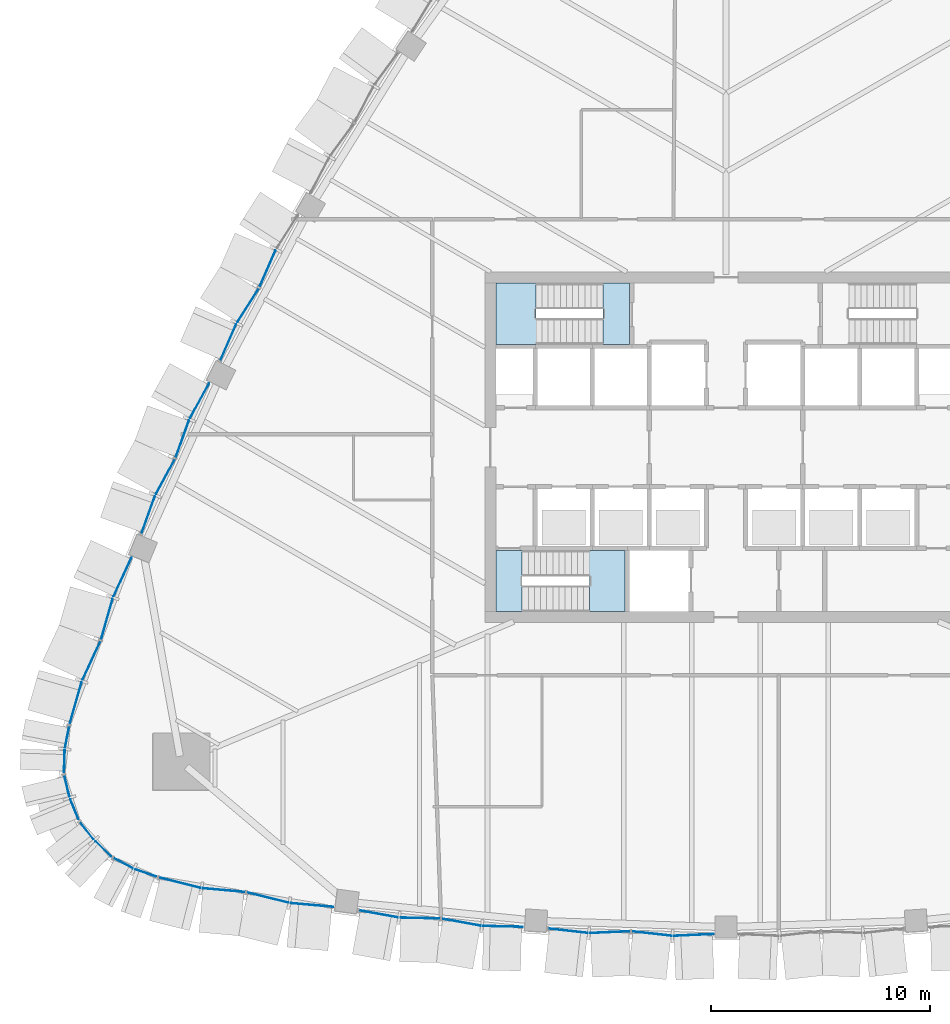
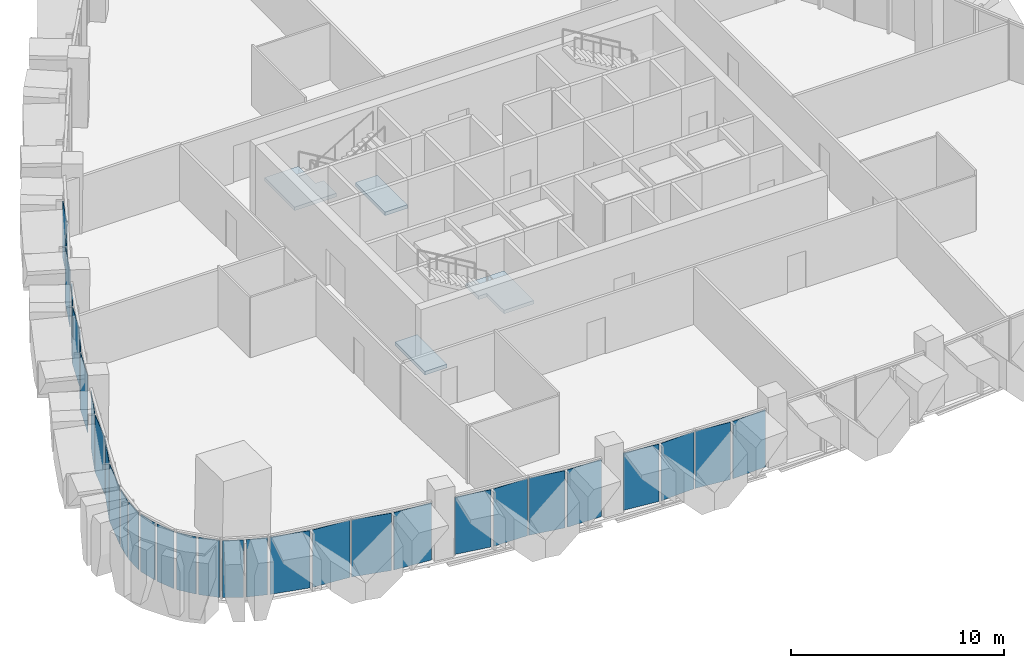
# One storey, part 8 of 18: 31 plates, 4 slabs, 12 elements without a shape of their own.
"""IFC4 building model written with IfcOpenShell, lengths in metres."""

from ifc_helpers import new_model, si_unit, direction, frame, origin, place, context, subcontext, project, spatial, polyline, outline, extrude, material, layer, layer_set, type_object, element, aggregate, save


model = new_model("IFC4")

# Units and contexts
model_context = context("Model", 3, precision=1e-05, world=origin(), true_north=direction((0.0, 1.0)))
body_context = subcontext(model_context, "Body", "Model", "MODEL_VIEW")
ifc_project = project(units=[si_unit("LENGTHUNIT", "METRE"), si_unit("AREAUNIT", "SQUARE_METRE"), si_unit("VOLUMEUNIT", "CUBIC_METRE"), si_unit("PLANEANGLEUNIT", "RADIAN"), si_unit("MASSUNIT", "GRAM", prefix="KILO")], contexts=[model_context])

# Site, building, storey
site_placement = place(None, origin())
site = spatial("IfcSite", under=ifc_project, at=site_placement, CompositionType="ELEMENT")
building_placement = place(site_placement, origin())
building = spatial("IfcBuilding", under=site, at=building_placement, Name="Sierra Prisma Convention Tower", CompositionType="ELEMENT")
storey_placement = place(building_placement, frame((0.0, 0.0, 133.800048828125)))
storey = spatial("IfcBuildingStorey", under=building, at=storey_placement, Name="L28", CompositionType="ELEMENT", Elevation=133.800048828125)

# Curtain wall, plates
ifc_material_1 = material(Name="Aluminium and glass curtain wall", Category="aluminium")
ifc_layer_1 = layer(ifc_material_1, 0.179931640625)
ifc_layer_set_1 = layer_set([ifc_layer_1], Name="CW-2 Faceted crystal curtain wall")
curtain_wall_type = type_object("IfcCurtainWallType", Name="CW-2 Faceted crystal curtain wall", PredefinedType="NOTDEFINED", material=ifc_layer_set_1)
curtain_wall_1_placement = place(storey_placement, origin())
curtain_wall_1 = element("IfcCurtainWall", 1, at=curtain_wall_1_placement, inside=storey, type_object=curtain_wall_type, Name="CW-2 S1 L28", PredefinedType="NOTDEFINED")
ifc_material_2 = material(Name="Tinted glass bronze-grey IGU", Category="glass")
ifc_layer_2 = layer(ifc_material_2, 0.028076171875)
ifc_layer_set_2 = layer_set([ifc_layer_2], Name="CW-2 crystal pane")
plate_type = type_object("IfcPlateType", Name="CW-2 crystal pane", PredefinedType="CURTAIN_PANEL", material=ifc_layer_set_2)
plate_1_placement = place(storey_placement, frame((-25.875, -19.64111328125, 0.0), z_axis=(-0.2435126618, -0.969897718083, 0.0), x_axis=(0.969897718083, -0.2435126618, 0.0)))
plate_1 = element("IfcPlate", 2, at=plate_1_placement, type_object=plate_type, Name="CW-2 pane S1.1.1", PredefinedType="CURTAIN_PANEL", context=body_context, shape_type="SweptSolid", body=[
    extrude(outline(polyline([(0.0, 0.0), (1.9399899203736675, 0.0), (1.9399899203736675, 3.280029296875001), (0.0, 3.280029296875001), (0.0, 0.0)])), origin(), (0.0, 0.0, -1.0), 0.028076171875),
])
plate_2_placement = place(storey_placement, frame((-21.933349609375, -20.30712890625, 0.0), z_axis=(-0.088720138755, -0.996056593261, 0.0), x_axis=(-0.996056593261, 0.088720138755, 0.0)))
plate_2 = element("IfcPlate", 3, at=plate_2_placement, type_object=plate_type, Name="CW-2 pane S1.1.2", PredefinedType="CURTAIN_PANEL", context=body_context, shape_type="SweptSolid", body=[
    extrude(outline(polyline([(0.0, 0.0), (1.9400233480188993, 0.0), (1.9400233480188993, -3.280029296875), (0.0, -3.280029296875), (0.0, 0.0)])), origin(), (0.0, 0.0, -1.0), 0.028076171875),
])
plate_3_placement = place(storey_placement, frame((-21.8642578125, -20.31884765625, 0.0), z_axis=(-0.243542388, -0.969890254228, 0.0), x_axis=(0.969890254228, -0.243542388, 0.0)))
plate_3 = element("IfcPlate", 4, at=plate_3_placement, type_object=plate_type, Name="CW-2 pane S1.2.1", PredefinedType="CURTAIN_PANEL", context=body_context, shape_type="SweptSolid", body=[
    extrude(outline(polyline([(0.0, 0.0), (1.939753129849648, 0.0), (1.939753129849648, 3.280029296875), (0.0, 3.280029296875), (0.0, 0.0)])), origin(), (0.0, 0.0, -1.0), 0.028076171875),
])
plate_4_placement = place(storey_placement, frame((-17.9228515625, -20.985107421875, 0.0), z_axis=(-0.088856127955, -0.996044471158, 0.0), x_axis=(-0.996044471158, 0.088856127955, 0.0)))
plate_4 = element("IfcPlate", 5, at=plate_4_placement, type_object=plate_type, Name="CW-2 pane S1.2.2", PredefinedType="CURTAIN_PANEL", context=body_context, shape_type="SweptSolid", body=[
    extrude(outline(polyline([(0.0, 0.0), (1.939801848408772, 0.0), (1.939801848408772, -3.280029296875), (0.0, -3.280029296875), (0.0, 0.0)])), origin(), (0.0, 0.0, -1.0), 0.028076171875),
])
aggregate(curtain_wall_1, [plate_1, plate_2, plate_3, plate_4])

curtain_wall_2_placement = place(storey_placement, origin())
curtain_wall_2 = element("IfcCurtainWall", 6, at=curtain_wall_2_placement, inside=storey, type_object=curtain_wall_type, Name="CW-2 S2 L28", PredefinedType="NOTDEFINED")
plate_5_placement = place(storey_placement, frame((-16.7490234375, -21.1416015625, 0.0), z_axis=(-0.178039447768, -0.98402335086, 0.0), x_axis=(0.98402335086, -0.178039447768, 0.0)))
plate_5 = element("IfcPlate", 7, at=plate_5_placement, type_object=plate_type, Name="CW-2 pane S2.1.1", PredefinedType="CURTAIN_PANEL", context=body_context, shape_type="SweptSolid", body=[
    extrude(outline(polyline([(0.0, 0.0), (1.803223532194353, 0.0), (1.803223532194353, 3.280029296875), (0.0, 3.280029296875), (0.0, 0.0)])), origin(), (0.0, 0.0, -1.0), 0.028076171875),
])
plate_6_placement = place(storey_placement, frame((-13.04296875, -21.51513671875, 0.0), z_axis=(-0.021934050109, -0.999759419783, 0.0), x_axis=(-0.999759419783, 0.021934050109, 0.0)))
plate_6 = element("IfcPlate", 8, at=plate_6_placement, type_object=plate_type, Name="CW-2 pane S2.1.2", PredefinedType="CURTAIN_PANEL", context=body_context, shape_type="SweptSolid", body=[
    extrude(outline(polyline([(0.0, 0.0), (1.803168181591536, 0.0), (1.803168181591536, -3.280029296875), (0.0, -3.280029296875), (0.0, 0.0)])), origin(), (0.0, 0.0, -1.0), 0.028076171875),
])
plate_7_placement = place(storey_placement, frame((-12.97314453125, -21.522216796875, 0.0), z_axis=(-0.178039447768, -0.98402335086, 0.0), x_axis=(0.98402335086, -0.178039447768, 0.0)))
plate_7 = element("IfcPlate", 9, at=plate_7_placement, type_object=plate_type, Name="CW-2 pane S2.2.1", PredefinedType="CURTAIN_PANEL", context=body_context, shape_type="SweptSolid", body=[
    extrude(outline(polyline([(0.0, 0.0), (1.803223532194353, 0.0), (1.803223532194353, 3.280029296875), (0.0, 3.280029296875), (0.0, 0.0)])), origin(), (0.0, 0.0, -1.0), 0.028076171875),
])
plate_8_placement = place(storey_placement, frame((-9.26708984375, -21.895751953125, 0.0), z_axis=(-0.021934050109, -0.999759419783, 0.0), x_axis=(-0.999759419783, 0.021934050109, 0.0)))
plate_8 = element("IfcPlate", 10, at=plate_8_placement, type_object=plate_type, Name="CW-2 pane S2.2.2", PredefinedType="CURTAIN_PANEL", context=body_context, shape_type="SweptSolid", body=[
    extrude(outline(polyline([(0.0, 0.0), (1.803168181591536, 0.0), (1.803168181591536, -3.280029296875), (0.0, -3.280029296875), (0.0, 0.0)])), origin(), (0.0, 0.0, -1.0), 0.028076171875),
])
aggregate(curtain_wall_2, [plate_5, plate_6, plate_7, plate_8])

curtain_wall_3_placement = place(storey_placement, origin())
curtain_wall_3 = element("IfcCurtainWall", 11, at=curtain_wall_3_placement, inside=storey, type_object=curtain_wall_type, Name="CW-2 S3 L28", PredefinedType="NOTDEFINED")
plate_9_placement = place(storey_placement, frame((-8.117431640625, -21.972412109375, 0.0), z_axis=(-0.111748183028, -0.993736556432, 0.0), x_axis=(0.993736556432, -0.111748183028, 0.0)))
plate_9 = element("IfcPlate", 12, at=plate_9_placement, type_object=plate_type, Name="CW-2 pane S3.1.1", PredefinedType="CURTAIN_PANEL", context=body_context, shape_type="SweptSolid", body=[
    extrude(outline(polyline([(0.0, 0.0), (1.8111487152707966, 0.0), (1.8111487152707966, 3.280029296875), (0.0, 3.280029296875), (0.0, 0.0)])), origin(), (0.0, 0.0, -1.0), 0.028076171875),
])
plate_10_placement = place(storey_placement, frame((-4.378662109375, -22.09765625, 0.0), z_axis=(0.045022441762, -0.998985975746, 0.0), x_axis=(-0.998985975746, -0.045022441762, 0.0)))
plate_10 = element("IfcPlate", 13, at=plate_10_placement, type_object=plate_type, Name="CW-2 pane S3.1.2", PredefinedType="CURTAIN_PANEL", context=body_context, shape_type="SweptSolid", body=[
    extrude(outline(polyline([(0.0, 0.0), (1.8111627348155124, 0.0), (1.8111627348155124, -3.280029296875001), (0.0, -3.280029296875001), (0.0, 0.0)])), origin(), (0.0, 0.0, -1.0), 0.028076171875),
])
plate_11_placement = place(storey_placement, frame((-4.30859375, -22.099853515625, 0.0), z_axis=(-0.111881295472, -0.993721578574, 0.0), x_axis=(0.993721578574, -0.111881295472, 0.0)))
plate_11 = element("IfcPlate", 14, at=plate_11_placement, type_object=plate_type, Name="CW-2 pane S3.2.1", PredefinedType="CURTAIN_PANEL", context=body_context, shape_type="SweptSolid", body=[
    extrude(outline(polyline([(0.0, 0.0), (1.8111760137912438, 0.0), (1.8111760137912438, 3.280029296875), (0.0, 3.280029296875), (0.0, 0.0)])), origin(), (0.0, 0.0, -1.0), 0.028076171875),
])
plate_12_placement = place(storey_placement, frame((-0.569580078125, -22.22509765625, 0.0), z_axis=(0.045150885036, -0.998980178773, 0.0), x_axis=(-0.998980178773, -0.045150885036, 0.0)))
plate_12 = element("IfcPlate", 15, at=plate_12_placement, type_object=plate_type, Name="CW-2 pane S3.2.2", PredefinedType="CURTAIN_PANEL", context=body_context, shape_type="SweptSolid", body=[
    extrude(outline(polyline([(0.0, 0.0), (1.8114176346555937, 0.0), (1.8114176346555937, -3.280029296875), (0.0, -3.280029296875), (0.0, 0.0)])), origin(), (0.0, 0.0, -1.0), 0.028076171875),
])
aggregate(curtain_wall_3, [plate_9, plate_10, plate_11, plate_12])

curtain_wall_4_placement = place(storey_placement, origin())
curtain_wall_4 = element("IfcCurtainWall", 16, at=curtain_wall_4_placement, inside=storey, type_object=curtain_wall_type, Name="CW-2 NW4 L28", PredefinedType="NOTDEFINED")
plate_13_placement = place(storey_placement, frame((-21.29345703125, 7.318603515625, 0.0), z_axis=(-0.91650344334, 0.400026797034, 0.0), x_axis=(0.400026797034, 0.91650344334, 0.0)))
plate_13 = element("IfcPlate", 17, at=plate_13_placement, type_object=plate_type, Name="CW-2 pane NW4.1.2", PredefinedType="CURTAIN_PANEL", context=body_context, shape_type="SweptSolid", body=[
    extrude(outline(polyline([(0.0, 0.0), (1.8114020869900622, 0.0), (1.8114020869900622, -3.280029296875), (0.0, -3.280029296875), (0.0, 0.0)])), origin(), (0.0, 0.0, -1.0), 0.028076171875),
])
plate_14_placement = place(storey_placement, frame((-21.326416015625, 7.2568359375, 0.0), z_axis=(-0.842655490533, 0.538453084562, 0.0), x_axis=(-0.538453084562, -0.842655490533, 0.0)))
plate_14 = element("IfcPlate", 18, at=plate_14_placement, type_object=plate_type, Name="CW-2 pane NW4.2.1", PredefinedType="CURTAIN_PANEL", context=body_context, shape_type="SweptSolid", body=[
    extrude(outline(polyline([(0.0, 0.0), (1.8113774901461084, 0.0), (1.8113774901461084, 3.280029296875), (0.0, 3.280029296875), (0.0, 0.0)])), origin(), (0.0, 0.0, -1.0), 0.028076171875),
])
plate_15_placement = place(storey_placement, frame((-23.08740234375, 3.9560546875, 0.0), z_axis=(-0.91650344334, 0.400026797034, 0.0), x_axis=(0.400026797034, 0.91650344334, 0.0)))
plate_15 = element("IfcPlate", 19, at=plate_15_placement, type_object=plate_type, Name="CW-2 pane NW4.2.2", PredefinedType="CURTAIN_PANEL", context=body_context, shape_type="SweptSolid", body=[
    extrude(outline(polyline([(0.0, 0.0), (1.8114020869900622, 0.0), (1.8114020869900622, -3.280029296875), (0.0, -3.280029296875), (0.0, 0.0)])), origin(), (0.0, 0.0, -1.0), 0.028076171875),
])
aggregate(curtain_wall_4, [plate_13, plate_14, plate_15])

curtain_wall_5_placement = place(storey_placement, origin())
curtain_wall_5 = element("IfcCurtainWall", 20, at=curtain_wall_5_placement, inside=storey, type_object=curtain_wall_type, Name="CW-2 NW5 L28", PredefinedType="NOTDEFINED")
plate_16_placement = place(storey_placement, frame((-23.595703125, 2.92236328125, 0.0), z_axis=(-0.876775580442, 0.480899762466, 0.0), x_axis=(-0.480899762466, -0.876775580442, 0.0)))
plate_16 = element("IfcPlate", 21, at=plate_16_placement, type_object=plate_type, Name="CW-2 pane NW5.1.1", PredefinedType="CURTAIN_PANEL", context=body_context, shape_type="SweptSolid", body=[
    extrude(outline(polyline([(0.0, 0.0), (1.803260404107508, 0.0), (1.803260404107508, 3.280029296875), (0.0, 3.280029296875), (0.0, 0.0)])), origin(), (0.0, 0.0, -1.0), 0.028076171875),
])
plate_17_placement = place(storey_placement, frame((-25.12548828125, -0.47412109375, 0.0), z_axis=(-0.941177007501, 0.337913954362, 0.0), x_axis=(0.337913954362, 0.941177007501, 0.0)))
plate_17 = element("IfcPlate", 22, at=plate_17_placement, type_object=plate_type, Name="CW-2 pane NW5.1.2", PredefinedType="CURTAIN_PANEL", context=body_context, shape_type="SweptSolid", body=[
    extrude(outline(polyline([(0.0, 0.0), (1.8033436978101653, 0.0), (1.8033436978101653, -3.280029296875001), (0.0, -3.280029296875001), (0.0, 0.0)])), origin(), (0.0, 0.0, -1.0), 0.028076171875),
])
plate_18_placement = place(storey_placement, frame((-25.154052734375, -0.537841796875, 0.0), z_axis=(-0.876775580442, 0.480899762466, 0.0), x_axis=(-0.480899762466, -0.876775580442, 0.0)))
plate_18 = element("IfcPlate", 23, at=plate_18_placement, type_object=plate_type, Name="CW-2 pane NW5.2.1", PredefinedType="CURTAIN_PANEL", context=body_context, shape_type="SweptSolid", body=[
    extrude(outline(polyline([(0.0, 0.0), (1.803260404107508, 0.0), (1.803260404107508, 3.280029296875), (0.0, 3.280029296875), (0.0, 0.0)])), origin(), (0.0, 0.0, -1.0), 0.028076171875),
])
plate_19_placement = place(storey_placement, frame((-26.683837890625, -3.934326171875, 0.0), z_axis=(-0.941177007501, 0.337913954362, 0.0), x_axis=(0.337913954362, 0.941177007501, 0.0)))
plate_19 = element("IfcPlate", 24, at=plate_19_placement, type_object=plate_type, Name="CW-2 pane NW5.2.2", PredefinedType="CURTAIN_PANEL", context=body_context, shape_type="SweptSolid", body=[
    extrude(outline(polyline([(0.0, 0.0), (1.8033436978101653, 0.0), (1.8033436978101653, -3.280029296875001), (0.0, -3.280029296875001), (0.0, 0.0)])), origin(), (0.0, 0.0, -1.0), 0.028076171875),
])
aggregate(curtain_wall_5, [plate_16, plate_17, plate_18, plate_19])

curtain_wall_6_placement = place(storey_placement, origin())
curtain_wall_6 = element("IfcCurtainWall", 25, at=curtain_wall_6_placement, inside=storey, type_object=curtain_wall_type, Name="CW-2 NW6 L28", PredefinedType="NOTDEFINED")
plate_20_placement = place(storey_placement, frame((-27.135009765625, -5.029052734375, 0.0), z_axis=(-0.907014117965, 0.421100213502, 0.0), x_axis=(-0.421100213502, -0.907014117965, 0.0)))
plate_20 = element("IfcPlate", 26, at=plate_20_placement, type_object=plate_type, Name="CW-2 pane NW6.1.1", PredefinedType="CURTAIN_PANEL", context=body_context, shape_type="SweptSolid", body=[
    extrude(outline(polyline([(0.0, 0.0), (1.9399052887095702, 0.0), (1.9399052887095702, 3.280029296875001), (0.0, 3.280029296875001), (0.0, 0.0)])), origin(), (0.0, 0.0, -1.0), 0.028076171875),
])
plate_21_placement = place(storey_placement, frame((-28.52880859375, -8.775634765625, 0.0), z_axis=(-0.96169474077, 0.274122646957, 0.0), x_axis=(0.274122646957, 0.96169474077, 0.0)))
plate_21 = element("IfcPlate", 27, at=plate_21_placement, type_object=plate_type, Name="CW-2 pane NW6.1.2", PredefinedType="CURTAIN_PANEL", context=body_context, shape_type="SweptSolid", body=[
    extrude(outline(polyline([(0.0, 0.0), (1.9397823826411964, 0.0), (1.9397823826411964, -3.280029296875), (0.0, -3.280029296875), (0.0, 0.0)])), origin(), (0.0, 0.0, -1.0), 0.028076171875),
])
plate_22_placement = place(storey_placement, frame((-28.55322265625, -8.84130859375, 0.0), z_axis=(-0.906943715936, 0.421251820322, 0.0), x_axis=(-0.421251820322, -0.906943715936, 0.0)))
plate_22 = element("IfcPlate", 28, at=plate_22_placement, type_object=plate_type, Name="CW-2 pane NW6.2.1", PredefinedType="CURTAIN_PANEL", context=body_context, shape_type="SweptSolid", body=[
    extrude(outline(polyline([(0.0, 0.0), (1.9397866844850995, 0.0), (1.9397866844850995, 3.280029296875001), (0.0, 3.280029296875001), (0.0, 0.0)])), origin(), (0.0, 0.0, -1.0), 0.028076171875),
])
plate_23_placement = place(storey_placement, frame((-29.947265625, -12.587646484375, 0.0), z_axis=(-0.96169474077, 0.274122646957, 0.0), x_axis=(0.274122646957, 0.96169474077, 0.0)))
plate_23 = element("IfcPlate", 29, at=plate_23_placement, type_object=plate_type, Name="CW-2 pane NW6.2.2", PredefinedType="CURTAIN_PANEL", context=body_context, shape_type="SweptSolid", body=[
    extrude(outline(polyline([(0.0, 0.0), (1.9397823826411964, 0.0), (1.9397823826411964, -3.280029296875), (0.0, -3.280029296875), (0.0, 0.0)])), origin(), (0.0, 0.0, -1.0), 0.028076171875),
])
aggregate(curtain_wall_6, [plate_20, plate_21, plate_22, plate_23])

curtain_wall_7_placement = place(storey_placement, origin())
curtain_wall_7 = element("IfcCurtainWall", 30, at=curtain_wall_7_placement, inside=storey, type_object=curtain_wall_type, Name="CW-2 SW1 L28", PredefinedType="NOTDEFINED")
plate_24_placement = place(storey_placement, frame((-29.979248046875, -12.722900390625, 0.0), z_axis=(-0.982048303992, 0.18862960697, 0.0), x_axis=(-0.18862960697, -0.982048303992, 0.0)))
plate_24 = element("IfcPlate", 31, at=plate_24_placement, type_object=plate_type, Name="CW-2 pane SW1.1.1", PredefinedType="CURTAIN_PANEL", context=body_context, shape_type="SweptSolid", body=[
    extrude(outline(polyline([(0.0, 0.0), (0.9978943650389042, 0.0), (0.9978943650389042, 3.280029296875), (0.0, 3.280029296875), (0.0, 0.0)])), origin(), (0.0, 0.0, -1.0), 0.028076171875),
])
plate_25_placement = place(storey_placement, frame((-30.21435546875, -14.828857421875, 0.0), z_axis=(-0.999470404779, 0.0325408969, 0.0), x_axis=(0.0325408969, 0.999470404779, 0.0)))
plate_25 = element("IfcPlate", 32, at=plate_25_placement, type_object=plate_type, Name="CW-2 pane SW1.1.2", PredefinedType="CURTAIN_PANEL", context=body_context, shape_type="SweptSolid", body=[
    extrude(outline(polyline([(0.0, 0.0), (0.9978429059593749, 0.0), (0.9978429059593749, -3.280029296875), (0.0, -3.280029296875), (0.0, 0.0)])), origin(), (0.0, 0.0, -1.0), 0.028076171875),
])
aggregate(curtain_wall_7, [plate_24, plate_25])

curtain_wall_8_placement = place(storey_placement, origin())
curtain_wall_8 = element("IfcCurtainWall", 33, at=curtain_wall_8_placement, inside=storey, type_object=curtain_wall_type, Name="CW-2 SW2 L28", PredefinedType="NOTDEFINED")
plate_26_placement = place(storey_placement, frame((-30.20068359375, -14.965087890625, 0.0), z_axis=(-0.972842956766, -0.231466156212, 0.0), x_axis=(0.231466156212, -0.972842956766, 0.0)))
plate_26 = element("IfcPlate", 34, at=plate_26_placement, type_object=plate_type, Name="CW-2 pane SW2.1.1", PredefinedType="CURTAIN_PANEL", context=body_context, shape_type="SweptSolid", body=[
    extrude(outline(polyline([(0.0, 0.0), (0.9978004345401835, 0.0), (0.9978004345401835, 3.280029296875), (0.0, 3.280029296875), (0.0, 0.0)])), origin(), (0.0, 0.0, -1.0), 0.028076171875),
])
plate_27_placement = place(storey_placement, frame((-29.550048828125, -16.981689453125, 0.0), z_axis=(-0.924683165935, -0.380737498332, 0.0), x_axis=(-0.380737498332, 0.924683165935, 0.0)))
plate_27 = element("IfcPlate", 35, at=plate_27_placement, type_object=plate_type, Name="CW-2 pane SW2.1.2", PredefinedType="CURTAIN_PANEL", context=body_context, shape_type="SweptSolid", body=[
    extrude(outline(polyline([(0.0, 0.0), (0.997755183465235, 0.0), (0.997755183465235, -3.280029296875), (0.0, -3.280029296875), (0.0, 0.0)])), origin(), (0.0, 0.0, -1.0), 0.028076171875),
])
aggregate(curtain_wall_8, [plate_26, plate_27])

curtain_wall_9_placement = place(storey_placement, origin())
curtain_wall_9 = element("IfcCurtainWall", 36, at=curtain_wall_9_placement, inside=storey, type_object=curtain_wall_type, Name="CW-2 SW3 L28", PredefinedType="NOTDEFINED")
plate_28_placement = place(storey_placement, frame((-29.481689453125, -17.100341796875, 0.0), z_axis=(-0.792032379841, -0.610479081774, 0.0), x_axis=(0.610479081774, -0.792032379841, 0.0)))
plate_28 = element("IfcPlate", 37, at=plate_28_placement, type_object=plate_type, Name="CW-2 pane SW3.1.1", PredefinedType="CURTAIN_PANEL", context=body_context, shape_type="SweptSolid", body=[
    extrude(outline(polyline([(0.0, 0.0), (0.9977915338308079, 0.0), (0.9977915338308079, 3.280029296875), (0.0, 3.280029296875), (0.0, 0.0)])), origin(), (0.0, 0.0, -1.0), 0.028076171875),
])
plate_29_placement = place(storey_placement, frame((-28.060546875, -18.671875, 0.0), z_axis=(-0.686752881306, -0.726890968453, 0.0), x_axis=(-0.726890968453, 0.686752881306, 0.0)))
plate_29 = element("IfcPlate", 38, at=plate_29_placement, type_object=plate_type, Name="CW-2 pane SW3.1.2", PredefinedType="CURTAIN_PANEL", context=body_context, shape_type="SweptSolid", body=[
    extrude(outline(polyline([(0.0, 0.0), (0.9975329006954963, 0.0), (0.9975329006954963, -3.280029296875), (0.0, -3.280029296875), (0.0, 0.0)])), origin(), (0.0, 0.0, -1.0), 0.028076171875),
])
aggregate(curtain_wall_9, [plate_28, plate_29])

curtain_wall_10_placement = place(storey_placement, origin())
curtain_wall_10 = element("IfcCurtainWall", 39, at=curtain_wall_10_placement, inside=storey, type_object=curtain_wall_type, Name="CW-2 SW4 L28", PredefinedType="NOTDEFINED")
plate_30_placement = place(storey_placement, frame((-27.949462890625, -18.751953125, 0.0), z_axis=(-0.471413358121, -0.881912379879, 0.0), x_axis=(0.881912379879, -0.471413358121, 0.0)))
plate_30 = element("IfcPlate", 40, at=plate_30_placement, type_object=plate_type, Name="CW-2 pane SW4.1.1", PredefinedType="CURTAIN_PANEL", context=body_context, shape_type="SweptSolid", body=[
    extrude(outline(polyline([(0.0, 0.0), (0.9979755055091546, 0.0), (0.9979755055091546, 3.280029296875), (0.0, 3.280029296875), (0.0, 0.0)])), origin(), (0.0, 0.0, -1.0), 0.028076171875),
])
plate_31_placement = place(storey_placement, frame((-26.008056640625, -19.601318359375, 0.0), z_axis=(-0.327656807012, -0.944796812452, 0.0), x_axis=(-0.944796812452, 0.327656807012, 0.0)))
plate_31 = element("IfcPlate", 41, at=plate_31_placement, type_object=plate_type, Name="CW-2 pane SW4.1.2", PredefinedType="CURTAIN_PANEL", context=body_context, shape_type="SweptSolid", body=[
    extrude(outline(polyline([(0.0, 0.0), (0.9977033587560278, 0.0), (0.9977033587560278, -3.280029296875), (0.0, -3.280029296875), (0.0, 0.0)])), origin(), (0.0, 0.0, -1.0), 0.028076171875),
])
aggregate(curtain_wall_10, [plate_30, plate_31])

# Stair, slab
ifc_material_3 = material(Name="Concrete C30/37", Category="concrete")
stair_type = type_object("IfcStairType", Name="Stair dog-leg 1200 RC", PredefinedType="HALF_TURN_STAIR", material=ifc_material_3)
stair_1_placement = place(storey_placement, origin())
stair_1 = element("IfcStair", 42, at=stair_1_placement, inside=storey, type_object=stair_type, Name="L28 S1", PredefinedType="HALF_TURN_STAIR")
ifc_material_4 = material(Name="Concrete C35/45", Category="concrete")
ifc_layer_3 = layer(ifc_material_4, 0.199951171875)
ifc_layer_set_3 = layer_set([ifc_layer_3], Name="Stair landing slab")
slab_type = type_object("IfcSlabType", Name="Stair landing slab", PredefinedType="LANDING", material=ifc_layer_set_3)
slab_1_placement = place(storey_placement, frame((0.0, 0.0, 1.800048828125)))
slab_1 = element("IfcSlab", 43, at=slab_1_placement, type_object=slab_type, Name="S1 landing 1", PredefinedType="LANDING", context=body_context, shape_type="SweptSolid", body=[
    extrude(outline(polyline([(-4.60009765625, -4.699951171875), (-4.60009765625, -7.5), (-6.221923828125, -7.5), (-6.221923828125, -5.89990234375), (-6.669921875, -5.89990234375), (-6.669921875, -4.699951171875), (-4.60009765625, -4.699951171875)])), origin(), (0.0, 0.0, 1.0), 0.199951171875),
])
aggregate(stair_1, [slab_1])

# Slab
slab_2_placement = place(storey_placement, frame((0.0, 0.0, -0.199951171875)))
element("IfcSlab", 44, at=slab_2_placement, inside=storey, type_object=slab_type, Name="S1 floor landing L28", PredefinedType="LANDING", context=body_context, shape_type="SweptSolid", body=[
    extrude(outline(polyline([(-10.5, -7.5), (-9.298095703125, -7.5), (-9.298095703125, -4.699951171875), (-10.5, -4.699951171875), (-10.5, -7.5)])), origin(), (0.0, 0.0, 1.0), 0.199951171875),
])

# Stair, slab
stair_2_placement = place(storey_placement, origin())
stair_2 = element("IfcStair", 45, at=stair_2_placement, inside=storey, type_object=stair_type, Name="L28 S3", PredefinedType="HALF_TURN_STAIR")
slab_3_placement = place(storey_placement, frame((0.0, 0.0, 1.800048828125)))
slab_3 = element("IfcSlab", 46, at=slab_3_placement, type_object=slab_type, Name="S3 landing 1", PredefinedType="LANDING", context=body_context, shape_type="SweptSolid", body=[
    extrude(outline(polyline([(-8.22998046875, 5.89990234375), (-8.22998046875, 4.699951171875), (-10.5, 4.699951171875), (-10.5, 7.5), (-8.677978515625, 7.5), (-8.677978515625, 5.89990234375), (-8.22998046875, 5.89990234375)])), origin(), (0.0, 0.0, 1.0), 0.199951171875),
])
aggregate(stair_2, [slab_3])

# Slab
slab_4_placement = place(storey_placement, frame((0.0, 0.0, -0.199951171875)))
element("IfcSlab", 47, at=slab_4_placement, inside=storey, type_object=slab_type, Name="S3 floor landing L28", PredefinedType="LANDING", context=body_context, shape_type="SweptSolid", body=[
    extrude(outline(polyline([(-4.39990234375, 7.5), (-5.60205078125, 7.5), (-5.60205078125, 4.699951171875), (-4.39990234375, 4.699951171875), (-4.39990234375, 7.5)])), origin(), (0.0, 0.0, 1.0), 0.199951171875),
])

save(model, "model.ifc")
